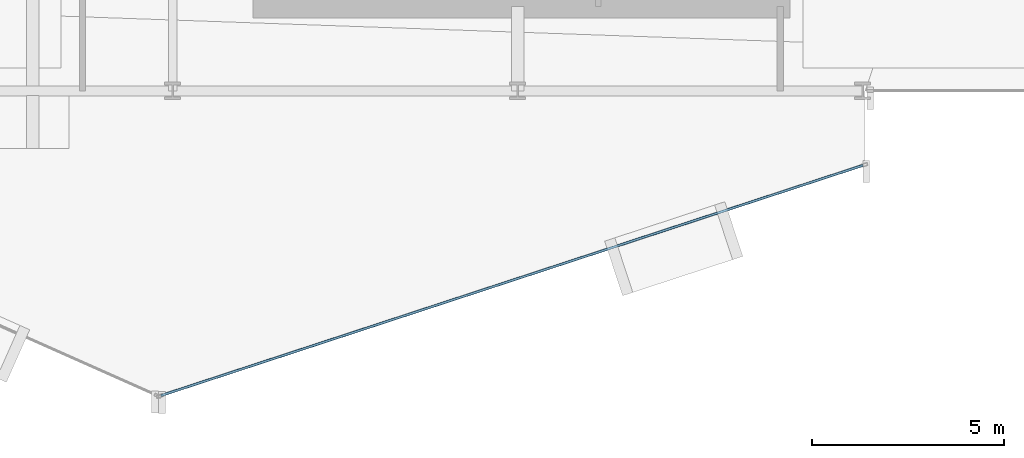
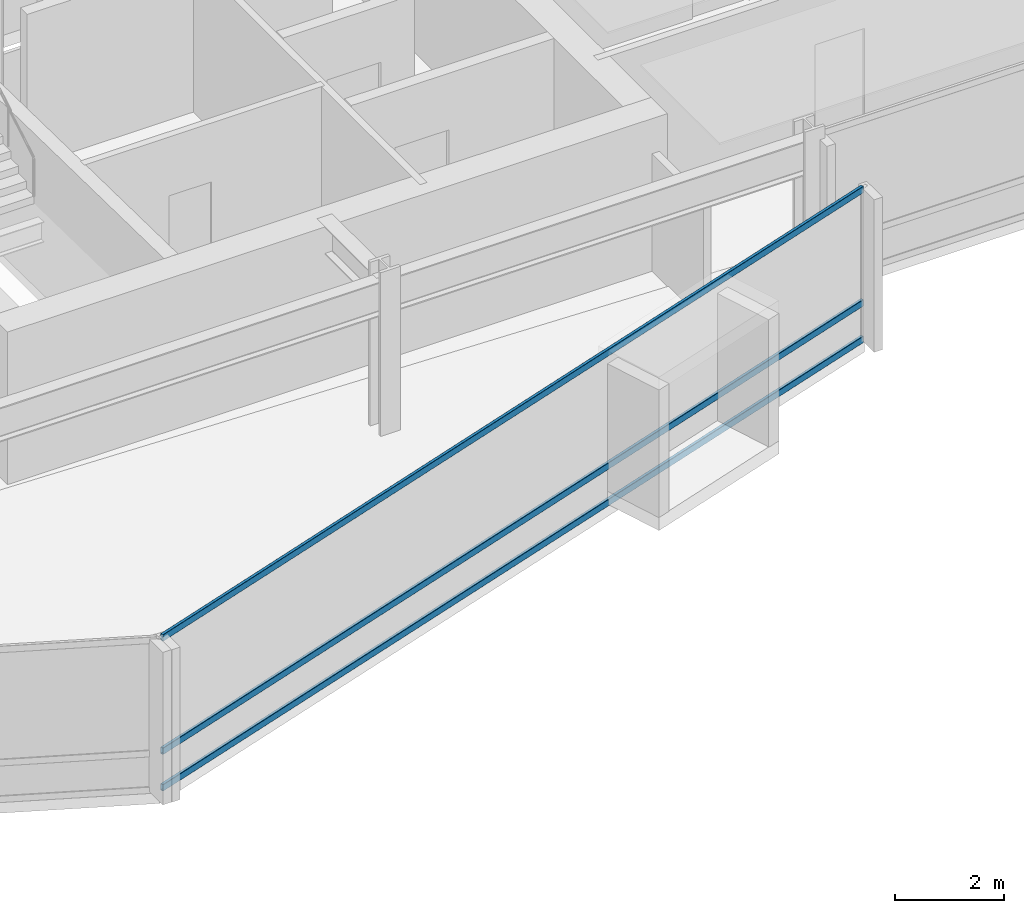
# One storey, part 9 of 29: 3 members, 1 element without a shape of its own.
"""IFC4 building model written with IfcOpenShell, lengths in metres."""

from ifc_helpers import new_model, si_unit, direction, frame, origin, origin_2d, place, context, subcontext, project, spatial, hollow_rectangle, extrude, material, layer, layer_set, material_profile, profile_set, type_object, element, aggregate, save


model = new_model("IFC4")

# Units and contexts
model_context = context("Model", 3, precision=1e-05, world=origin(), true_north=direction((0.0, 1.0)))
body_context = subcontext(model_context, "Body", "Model", "MODEL_VIEW")
ifc_project = project(units=[si_unit("LENGTHUNIT", "METRE"), si_unit("AREAUNIT", "SQUARE_METRE"), si_unit("VOLUMEUNIT", "CUBIC_METRE"), si_unit("PLANEANGLEUNIT", "RADIAN"), si_unit("MASSUNIT", "GRAM", prefix="KILO")], contexts=[model_context])

# Site, building, storey
site_placement = place(None, origin())
site = spatial("IfcSite", under=ifc_project, at=site_placement, CompositionType="ELEMENT")
building_placement = place(site_placement, origin())
building = spatial("IfcBuilding", under=site, at=building_placement, Name="Solvaryn Broadcast Tower", CompositionType="ELEMENT")
storey_placement = place(building_placement, frame((0.0, 0.0, 124.800048828125)))
storey = spatial("IfcBuildingStorey", under=building, at=storey_placement, Name="L30", CompositionType="ELEMENT", Elevation=124.800048828125)

# Curtain wall, members
ifc_material_1 = material(Name="Aluminium and Terracotta Unitised Curtain Wall", Category="masonry")
ifc_layer = layer(ifc_material_1, 0.199951171875)
ifc_layer_set = layer_set([ifc_layer], Name="CW-SYS2-LOWMID")
curtain_wall_type = type_object("IfcCurtainWallType", Name="CW-SYS2-LOWMID", PredefinedType="NOTDEFINED", material=ifc_layer_set)
curtain_wall_placement = place(storey_placement, origin())
curtain_wall = element("IfcCurtainWall", 1, at=curtain_wall_placement, inside=storey, type_object=curtain_wall_type, Name="L30 Curtain Wall DR4", PredefinedType="NOTDEFINED")
ifc_material_2 = material(Name="Anodised Aluminium 6063-T6", Category="aluminium")
ifc_material_profile = material_profile(ifc_material_2, hollow_rectangle(XDim=0.06494140625, YDim=0.14990234375, WallThickness=0.00390625, InnerFilletRadius=0.00390625, OuterFilletRadius=0.008056640625, at=origin_2d()))
ifc_profile_set = profile_set([ifc_material_profile], Name="Anodised Aluminium 6063-T6")
member_type = type_object("IfcMemberType", Name="CW-TRN-150", PredefinedType="USERDEFINED", material=ifc_profile_set)
member_1_placement = place(storey_placement, frame((26.693115234375, 1.052734375, 0.030029296875), z_axis=(0.950198373323, 0.31164571445, 0.0), x_axis=(-0.31164571445, 0.950198373323, 0.0)))
member_1 = element("IfcMember", 2, at=member_1_placement, type_object=member_type, Name="CWS2 transom 1.1", ObjectType="TRANSOM", PredefinedType="USERDEFINED", context=body_context, shape_type="SweptSolid", body=[
    extrude(hollow_rectangle(XDim=0.06494140625, YDim=0.14990234375, WallThickness=0.00390625, InnerFilletRadius=0.00390625, OuterFilletRadius=0.008056640625, at=origin_2d()), origin(), (0.0, 0.0, 1.0), 19.27685546875),
])
member_2_placement = place(storey_placement, frame((26.693115234375, 1.052734375, 0.849853515625), z_axis=(0.950198373323, 0.31164571445, 0.0), x_axis=(-0.31164571445, 0.950198373323, 0.0)))
member_2 = element("IfcMember", 3, at=member_2_placement, type_object=member_type, Name="CWS2 transom 1.2", ObjectType="TRANSOM", PredefinedType="USERDEFINED", context=body_context, shape_type="SweptSolid", body=[
    extrude(hollow_rectangle(XDim=0.06494140625, YDim=0.14990234375, WallThickness=0.00390625, InnerFilletRadius=0.00390625, OuterFilletRadius=0.008056640625, at=origin_2d()), origin(), (0.0, 0.0, 1.0), 19.27685546875),
])
member_3_placement = place(storey_placement, frame((26.693115234375, 1.052734375, 3.389892578125), z_axis=(0.950198373323, 0.31164571445, 0.0), x_axis=(-0.31164571445, 0.950198373323, 0.0)))
member_3 = element("IfcMember", 4, at=member_3_placement, type_object=member_type, Name="CWS2 transom 1.3", ObjectType="TRANSOM", PredefinedType="USERDEFINED", context=body_context, shape_type="SweptSolid", body=[
    extrude(hollow_rectangle(XDim=0.06494140625, YDim=0.14990234375, WallThickness=0.00390625, InnerFilletRadius=0.00390625, OuterFilletRadius=0.008056640625, at=origin_2d()), origin(), (0.0, 0.0, 1.0), 19.27685546875),
])
aggregate(curtain_wall, [member_1, member_2, member_3])

save(model, "model.ifc")
